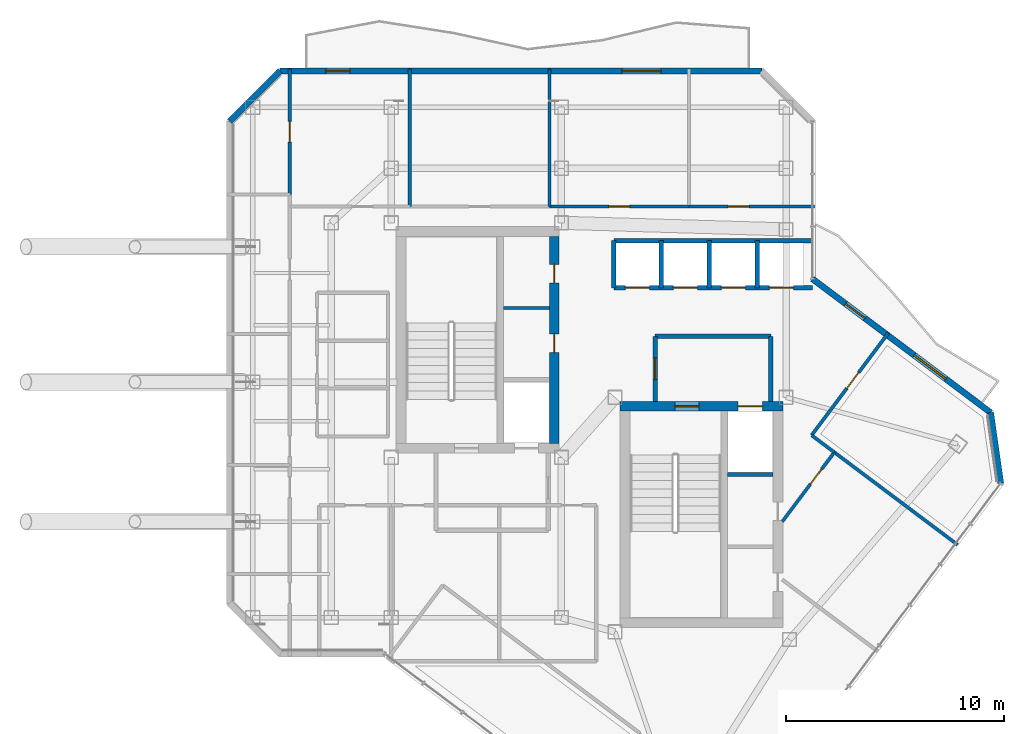
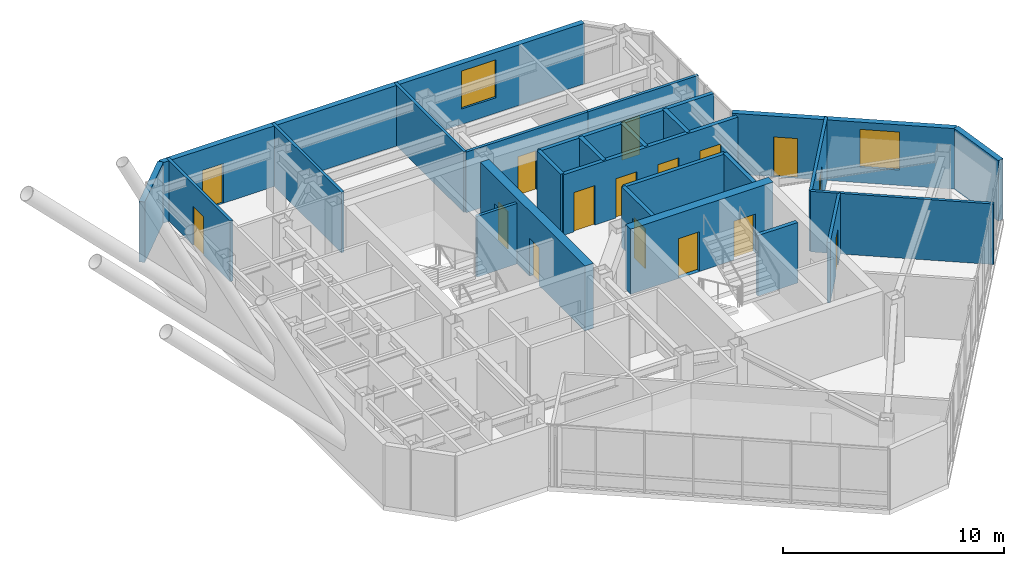
# One storey, part 17 of 21: 26 walls, 16 doors, 2 windows, 18 openings.
"""IFC4 building model written with IfcOpenShell, lengths in metres."""

from ifc_helpers import new_model, si_unit, direction, frame, frame_2d, origin, place, context, subcontext, project, spatial, rectangle, extrude, material, layer, layer_set, type_object, element, fill, save


model = new_model("IFC4")

# Units and contexts
model_context = context("Model", 3, precision=1e-05, world=origin(), true_north=direction((0.0, 1.0)))
body_context = subcontext(model_context, "Body", "Model", "MODEL_VIEW")
ifc_project = project(units=[si_unit("LENGTHUNIT", "METRE"), si_unit("AREAUNIT", "SQUARE_METRE"), si_unit("VOLUMEUNIT", "CUBIC_METRE"), si_unit("PLANEANGLEUNIT", "RADIAN"), si_unit("MASSUNIT", "GRAM", prefix="KILO")], contexts=[model_context])

# Site, building, storey
site_placement = place(None, origin())
site = spatial("IfcSite", under=ifc_project, at=site_placement, CompositionType="ELEMENT")
building_placement = place(site_placement, origin())
building = spatial("IfcBuilding", under=site, at=building_placement, Name="Hatsunagi Terrace Concourse", CompositionType="ELEMENT")
storey_placement = place(building_placement, frame((0.0, 0.0, 246.75)))
storey = spatial("IfcBuildingStorey", under=building, at=storey_placement, Name="L65", CompositionType="ELEMENT", Elevation=246.75)

# Wall, openings, doors
ifc_material_1 = material(Name="Concrete Fc42", Category="concrete")
ifc_layer_1 = layer(ifc_material_1, 0.449951171875)
ifc_layer_set_1 = layer_set([ifc_layer_1], Name="CoreShearWall_Fc42_450")
wall_type_1 = type_object("IfcWallType", Name="CoreShearWall_Fc42_450", PredefinedType="SHEAR", material=ifc_layer_set_1)
wall_1_placement = place(storey_placement, frame((33.02490234375, 33.18994140625, 0.0), z_axis=(0.0, 0.0, 1.0), x_axis=(0.0, 1.0, 0.0)))
wall_1 = element("IfcWall", 1, at=wall_1_placement, inside=storey, type_object=wall_type_1, Name="Core A Shear Wall E L65", PredefinedType="SHEAR", context=body_context, shape_type="SweptSolid", body=[
    extrude(rectangle(XDim=9.47998046875, YDim=0.449951171875, at=frame_2d((4.739990234375, 0.0))), origin(), (0.0, 0.0, 1.0), 3.60009765625),
])
opening_1_placement = place(wall_1_placement, frame((4.159912109375, 0.0, 0.0)))
opening_1 = element("IfcOpeningElement", 2, at=opening_1_placement, cuts=wall_1, Name="Opening DR-085", PredefinedType="OPENING", context=body_context, shape_type="SweptSolid", body=[
    extrude(rectangle(XDim=0.85009765625, YDim=2.080078125, at=frame_2d((0.425048828125, 1.0400390625))), frame((0.0, 0.23486328125, 0.0), z_axis=(0.0, -1.0, 0.0), x_axis=(1.0, 0.0, 0.0)), (0.0, 0.0, 1.0), 0.469970703125),
])
opening_2_placement = place(wall_1_placement, frame((7.360107421875, 0.0, 0.0)))
opening_2 = element("IfcOpeningElement", 3, at=opening_2_placement, cuts=wall_1, Name="Opening DR-085", PredefinedType="OPENING", context=body_context, shape_type="SweptSolid", body=[
    extrude(rectangle(XDim=0.85009765625, YDim=2.080078125, at=frame_2d((0.425048828125, 1.0400390625))), frame((0.0, 0.23486328125, 0.0), z_axis=(0.0, -1.0, 0.0), x_axis=(1.0, 0.0, 0.0)), (0.0, 0.0, 1.0), 0.469970703125),
])
ifc_material_2 = material(Name="Painted steel", Category="steel")
door_type_1 = type_object("IfcDoorType", Name="RiserAccessDoor_EI60_850", OperationType="NOTDEFINED", PredefinedType="DOOR", material=ifc_material_2)
door_1_placement = place(opening_1_placement, origin())
door_1 = element("IfcDoor", 4, at=door_1_placement, inside=storey, type_object=door_type_1, Name="Core A Riser Door L65-1", OperationType="SINGLE_SWING_LEFT", OverallHeight=2.080078125, OverallWidth=0.85009765625, PredefinedType="DOOR", context=body_context, shape_type="SweptSolid", body=[
    extrude(rectangle(XDim=0.85009765625, YDim=2.080078125, at=frame_2d((0.425048828125, 1.0400390625))), frame((0.0, 0.02490234375, 0.0), z_axis=(0.0, -1.0, 0.0), x_axis=(1.0, 0.0, 0.0)), (0.0, 0.0, 1.0), 0.050048828125),
])
fill(opening_1, door_1)
door_2_placement = place(opening_2_placement, origin())
door_2 = element("IfcDoor", 5, at=door_2_placement, inside=storey, type_object=door_type_1, Name="Core A Riser Door L65-2", OperationType="SINGLE_SWING_LEFT", OverallHeight=2.080078125, OverallWidth=0.85009765625, PredefinedType="DOOR", context=body_context, shape_type="SweptSolid", body=[
    extrude(rectangle(XDim=0.85009765625, YDim=2.080078125, at=frame_2d((0.425048828125, 1.0400390625))), frame((0.0, 0.02490234375, 0.0), z_axis=(0.0, -1.0, 0.0), x_axis=(1.0, 0.0, 0.0)), (0.0, 0.0, 1.0), 0.050048828125),
])
fill(opening_2, door_2)

wall_2_placement = place(storey_placement, frame((36.0400390625, 34.89501953125, 0.0), z_axis=(0.0, 0.0, 1.0), x_axis=(1.0, 0.0, 0.0)))
wall_2 = element("IfcWall", 6, at=wall_2_placement, inside=storey, type_object=wall_type_1, Name="Core B Shear Wall N L65", PredefinedType="SHEAR", context=body_context, shape_type="SweptSolid", body=[
    extrude(rectangle(XDim=7.4599609375, YDim=0.449951171875, at=frame_2d((3.72998046875, 0.0))), origin(), (0.0, 0.0, 1.0), 3.60009765625),
])
opening_3_placement = place(wall_2_placement, frame((2.510009765625, 0.0, 0.0)))
opening_3 = element("IfcOpeningElement", 7, at=opening_3_placement, cuts=wall_2, Name="Opening DR-110S", PredefinedType="OPENING", context=body_context, shape_type="SweptSolid", body=[
    extrude(rectangle(XDim=1.10009765625, YDim=2.199951171875, at=frame_2d((0.550048828125, 1.10009765625))), frame((0.0, 0.23486328125, 0.0), z_axis=(0.0, -1.0, 0.0), x_axis=(1.0, 0.0, 0.0)), (0.0, 0.0, 1.0), 0.469970703125),
])
opening_4_placement = place(wall_2_placement, frame((5.409912109375, 0.0, 0.0)))
opening_4 = element("IfcOpeningElement", 8, at=opening_4_placement, cuts=wall_2, Name="Opening LD-02", PredefinedType="OPENING", context=body_context, shape_type="SweptSolid", body=[
    extrude(rectangle(XDim=1.1201171875, YDim=2.14990234375, at=frame_2d((0.56005859375, 1.074951171875))), frame((0.0, 0.23486328125, 0.0), z_axis=(0.0, -1.0, 0.0), x_axis=(1.0, 0.0, 0.0)), (0.0, 0.0, 1.0), 0.469970703125),
])
ifc_material_3 = material(Name="Stainless steel", Category="steel")
door_type_2 = type_object("IfcDoorType", Name="LiftLandingDoor_LD02", OperationType="SLIDING_TO_RIGHT", PredefinedType="USERDEFINED", material=ifc_material_3)
door_3_placement = place(opening_4_placement, origin())
door_3 = element("IfcDoor", 9, at=door_3_placement, inside=storey, type_object=door_type_2, Name="Lift landing door FF-02 L65", ObjectType="SLIDING_LANDING_DOOR", OperationType="SLIDING_TO_RIGHT", OverallHeight=2.14990234375, OverallWidth=1.1201171875, PredefinedType="USERDEFINED", context=body_context, shape_type="SweptSolid", body=[
    extrude(rectangle(XDim=1.1201171875, YDim=2.14990234375, at=frame_2d((0.56005859375, 1.074951171875))), frame((0.0, 0.02490234375, 0.0), z_axis=(0.0, -1.0, 0.0), x_axis=(1.0, 0.0, 0.0)), (0.0, 0.0, 1.0), 0.050048828125),
])
fill(opening_4, door_3)
ifc_material_4 = material(Name="Painted steel", Category="steel")
door_type_3 = type_object("IfcDoorType", Name="StairFireDoor_EI60_1100", OperationType="NOTDEFINED", PredefinedType="DOOR", material=ifc_material_4)
door_4_placement = place(opening_3_placement, origin())
door_4 = element("IfcDoor", 10, at=door_4_placement, inside=storey, type_object=door_type_3, Name="Stair ST-B Exit Door L65", OperationType="SINGLE_SWING_RIGHT", OverallHeight=2.199951171875, OverallWidth=1.10009765625, PredefinedType="DOOR", context=body_context, shape_type="SweptSolid", body=[
    extrude(rectangle(XDim=1.10009765625, YDim=2.199951171875, at=frame_2d((0.550048828125, 1.10009765625))), frame((0.0, 0.02490234375, 0.0), z_axis=(0.0, -1.0, 0.0), x_axis=(1.0, 0.0, 0.0)), (0.0, 0.0, 1.0), 0.050048828125),
])
fill(opening_3, door_4)

# Wall
ifc_material_5 = material(Name="Acoustic mineral board", Category="gypsum")
ifc_layer_2 = layer(ifc_material_5, 0.14990234375)
ifc_layer_set_2 = layer_set([ifc_layer_2], Name="PartitionWall_EI60_150")
wall_type_2 = type_object("IfcWallType", Name="PartitionWall_EI60_150", PredefinedType="PARTITIONING", material=ifc_layer_set_2)
wall_3_placement = place(storey_placement, frame((30.699951171875, 39.39990234375, 0.0), z_axis=(0.0, 0.0, 1.0), x_axis=(1.0, 0.0, 0.0)))
element("IfcWall", 11, at=wall_3_placement, inside=storey, type_object=wall_type_2, Name="Interior Partition IW-L65-002", PredefinedType="PARTITIONING", context=body_context, shape_type="SweptSolid", body=[
    extrude(rectangle(XDim=2.10009765625, YDim=0.14990234375, at=frame_2d((1.050048828125, 0.0))), origin(), (0.0, 0.0, 1.0), 3.35009765625),
])

# Wall, opening, door
wall_4_placement = place(storey_placement, frame((20.89990234375, 44.60009765625, 0.0), z_axis=(0.0, 0.0, 1.0), x_axis=(0.0, 1.0, 0.0)))
wall_4 = element("IfcWall", 12, at=wall_4_placement, inside=storey, type_object=wall_type_2, Name="Interior Partition IW-L65-040", PredefinedType="PARTITIONING", context=body_context, shape_type="SweptSolid", body=[
    extrude(rectangle(XDim=5.760009765625, YDim=0.14990234375, at=frame_2d((2.8798828125, 0.0))), origin(), (0.0, 0.0, 1.0), 3.35009765625),
])
opening_5_placement = place(wall_4_placement, frame((2.405029296875, 0.0, 0.0)))
opening_5 = element("IfcOpeningElement", 13, at=opening_5_placement, cuts=wall_4, Name="Opening DR-095", PredefinedType="OPENING", context=body_context, shape_type="SweptSolid", body=[
    extrude(rectangle(XDim=0.949951171875, YDim=2.14990234375, at=frame_2d((0.47509765625, 1.074951171875))), frame((0.0, 0.0849609375, 0.0), z_axis=(0.0, -1.0, 0.0), x_axis=(1.0, 0.0, 0.0)), (0.0, 0.0, 1.0), 0.169921875),
])
ifc_material_6 = material(Name="Hardwood timber", Category="wood")
door_type_4 = type_object("IfcDoorType", Name="InteriorSuiteDoor_EI30_950", OperationType="NOTDEFINED", PredefinedType="DOOR", material=ifc_material_6)
door_5_placement = place(opening_5_placement, origin())
door_5 = element("IfcDoor", 14, at=door_5_placement, inside=storey, type_object=door_type_4, Name="Meeting Room L65-OW5 Door", OperationType="SINGLE_SWING_RIGHT", OverallHeight=2.14990234375, OverallWidth=0.949951171875, PredefinedType="DOOR", context=body_context, shape_type="SweptSolid", body=[
    extrude(rectangle(XDim=0.949951171875, YDim=2.14990234375, at=frame_2d((0.47509765625, 1.074951171875))), frame((0.0, 0.02490234375, 0.0), z_axis=(0.0, -1.0, 0.0), x_axis=(1.0, 0.0, 0.0)), (0.0, 0.0, 1.0), 0.050048828125),
])
fill(opening_5, door_5)

# Walls
for number, where, z_axis, x_axis, name in (
    (15, (26.39990234375, 44.050048828125, 0.0), (0.0, 0.0, 1.0), (0.0, 1.0, 0.0), "Interior Partition IW-L65-042"),
    (16, (32.800048828125, 44.050048828125, 0.0), (0.0, 0.0, 1.0), (0.0, 1.0, 0.0), "Interior Partition IW-L65-044"),
):
    element("IfcWall", number, at=place(storey_placement, frame(where, z_axis=z_axis, x_axis=x_axis)), inside=storey, type_object=wall_type_2, Name=name, PredefinedType="PARTITIONING", context=body_context, shape_type="SweptSolid", body=[
        extrude(rectangle(XDim=6.31005859375, YDim=0.14990234375, at=frame_2d((3.155029296875, 0.0))), origin(), (0.0, 0.0, 1.0), 3.35009765625),
    ])

# Wall, opening, door
wall_5_placement = place(storey_placement, frame((32.800048828125, 44.050048828125, 0.0), z_axis=(0.0, 0.0, 1.0), x_axis=(1.0, 0.0, 0.0)))
wall_5 = element("IfcWall", 17, at=wall_5_placement, inside=storey, type_object=wall_type_2, Name="Interior Partition IW-L65-045", PredefinedType="PARTITIONING", context=body_context, shape_type="SweptSolid", body=[
    extrude(rectangle(XDim=6.39990234375, YDim=0.14990234375, at=frame_2d((3.199951171875, 0.0))), origin(), (0.0, 0.0, 1.0), 3.35009765625),
])
opening_6_placement = place(wall_5_placement, frame((2.72509765625, 0.0, 0.0)))
opening_6 = element("IfcOpeningElement", 18, at=opening_6_placement, cuts=wall_5, Name="Opening DR-095", PredefinedType="OPENING", context=body_context, shape_type="SweptSolid", body=[
    extrude(rectangle(XDim=0.949951171875, YDim=2.14990234375, at=frame_2d((0.47509765625, 1.074951171875))), frame((0.0, 0.0849609375, 0.0), z_axis=(0.0, -1.0, 0.0), x_axis=(1.0, 0.0, 0.0)), (0.0, 0.0, 1.0), 0.169921875),
])
door_6_placement = place(opening_6_placement, origin())
door_6 = element("IfcDoor", 19, at=door_6_placement, inside=storey, type_object=door_type_4, Name="Meeting Room L65-ON3 Door", OperationType="SINGLE_SWING_LEFT", OverallHeight=2.14990234375, OverallWidth=0.949951171875, PredefinedType="DOOR", context=body_context, shape_type="SweptSolid", body=[
    extrude(rectangle(XDim=0.949951171875, YDim=2.14990234375, at=frame_2d((0.47509765625, 1.074951171875))), frame((0.0, 0.02490234375, 0.0), z_axis=(0.0, -1.0, 0.0), x_axis=(1.0, 0.0, 0.0)), (0.0, 0.0, 1.0), 0.050048828125),
])
fill(opening_6, door_6)

wall_6_placement = place(storey_placement, frame((39.199951171875, 44.050048828125, 0.0), z_axis=(0.0, 0.0, 1.0), x_axis=(1.0, 0.0, 0.0)))
wall_6 = element("IfcWall", 20, at=wall_6_placement, inside=storey, type_object=wall_type_2, Name="Interior Partition IW-L65-047", PredefinedType="PARTITIONING", context=body_context, shape_type="SweptSolid", body=[
    extrude(rectangle(XDim=5.760009765625, YDim=0.14990234375, at=frame_2d((2.8798828125, 0.0))), origin(), (0.0, 0.0, 1.0), 3.35009765625),
])
opening_7_placement = place(wall_6_placement, frame((1.797119140625, 0.0, 0.0)))
opening_7 = element("IfcOpeningElement", 21, at=opening_7_placement, cuts=wall_6, Name="Opening DR-095", PredefinedType="OPENING", context=body_context, shape_type="SweptSolid", body=[
    extrude(rectangle(XDim=0.949951171875, YDim=2.14990234375, at=frame_2d((0.47509765625, 1.074951171875))), frame((0.0, 0.0849609375, 0.0), z_axis=(0.0, -1.0, 0.0), x_axis=(1.0, 0.0, 0.0)), (0.0, 0.0, 1.0), 0.169921875),
])
door_7_placement = place(opening_7_placement, origin())
door_7 = element("IfcDoor", 22, at=door_7_placement, inside=storey, type_object=door_type_4, Name="Client Consultation Room L65-ON4 Door", OperationType="SINGLE_SWING_LEFT", OverallHeight=2.14990234375, OverallWidth=0.949951171875, PredefinedType="DOOR", context=body_context, shape_type="SweptSolid", body=[
    extrude(rectangle(XDim=0.949951171875, YDim=2.14990234375, at=frame_2d((0.47509765625, 1.074951171875))), frame((0.0, 0.02490234375, 0.0), z_axis=(0.0, -1.0, 0.0), x_axis=(1.0, 0.0, 0.0)), (0.0, 0.0, 1.0), 0.050048828125),
])
fill(opening_7, door_7)

# Wall
wall_7_placement = place(storey_placement, frame((45.860107421875, 32.780029296875, 0.0), z_axis=(0.0, 0.0, 1.0), x_axis=(0.799991700537, -0.600011065791, 0.0)))
element("IfcWall", 23, at=wall_7_placement, inside=storey, type_object=wall_type_2, Name="Interior Partition IW-L65-049", PredefinedType="PARTITIONING", context=body_context, shape_type="SweptSolid", body=[
    extrude(rectangle(XDim=7.06005859375, YDim=0.14990234375, at=frame_2d((3.530029296875, 0.0))), origin(), (0.0, 0.0, 1.0), 3.35009765625),
])

# Wall, opening, door
wall_8_placement = place(storey_placement, frame((43.47998046875, 29.60693359375, 0.0), z_axis=(0.0, 0.0, 1.0), x_axis=(0.600049238723, 0.79996306859, 0.0)))
wall_8 = element("IfcWall", 24, at=wall_8_placement, inside=storey, type_object=wall_type_2, Name="Interior Partition IW-L65-050", PredefinedType="PARTITIONING", context=body_context, shape_type="SweptSolid", body=[
    extrude(rectangle(XDim=3.966552734375, YDim=0.14990234375, at=frame_2d((1.9833984375, 0.0))), origin(), (0.0, 0.0, 1.0), 3.35009765625),
])
opening_8_placement = place(wall_8_placement, frame((2.14697265625, 0.0, 0.0)))
opening_8 = element("IfcOpeningElement", 25, at=opening_8_placement, cuts=wall_8, Name="Opening DR-085", PredefinedType="OPENING", context=body_context, shape_type="SweptSolid", body=[
    extrude(rectangle(XDim=0.85009765625, YDim=2.080078125, at=frame_2d((0.425048828125, 1.0400390625))), frame((0.0, 0.0849609375, 0.0), z_axis=(0.0, -1.0, 0.0), x_axis=(1.0, 0.0, 0.0)), (0.0, 0.0, 1.0), 0.169921875),
])
door_8_placement = place(opening_8_placement, origin())
door_8 = element("IfcDoor", 26, at=door_8_placement, inside=storey, type_object=door_type_1, Name="Research Focus Suite L65-OSE1 Door", OperationType="SINGLE_SWING_RIGHT", OverallHeight=2.080078125, OverallWidth=0.85009765625, PredefinedType="DOOR", context=body_context, shape_type="SweptSolid", body=[
    extrude(rectangle(XDim=0.85009765625, YDim=2.080078125, at=frame_2d((0.425048828125, 1.0400390625))), frame((0.0, 0.02490234375, 0.0), z_axis=(0.0, -1.0, 0.0), x_axis=(1.0, 0.0, 0.0)), (0.0, 0.0, 1.0), 0.050048828125),
])
fill(opening_8, door_8)

# Wall
wall_9_placement = place(storey_placement, frame((44.820068359375, 33.56005859375, 0.0), z_axis=(0.0, 0.0, 1.0), x_axis=(0.8, -0.6, 0.0)))
element("IfcWall", 27, at=wall_9_placement, inside=storey, type_object=wall_type_2, Name="Interior Partition IW-L65-051", PredefinedType="PARTITIONING", context=body_context, shape_type="SweptSolid", body=[
    extrude(rectangle(XDim=1.300048828125, YDim=0.14990234375, at=frame_2d((0.64990234375, 0.0))), origin(), (0.0, 0.0, 1.0), 3.35009765625),
])

# Wall, opening, door
wall_10_placement = place(storey_placement, frame((44.820068359375, 33.56005859375, 0.0), z_axis=(0.0, 0.0, 1.0), x_axis=(0.599986667805, 0.800009998972, 0.0)))
wall_10 = element("IfcWall", 28, at=wall_10_placement, inside=storey, type_object=wall_type_2, Name="Interior Partition IW-L65-052", PredefinedType="PARTITIONING", context=body_context, shape_type="SweptSolid", body=[
    extrude(rectangle(XDim=5.85986328125, YDim=0.14990234375, at=frame_2d((2.929931640625, 0.0))), origin(), (0.0, 0.0, 1.0), 3.35009765625),
])
opening_9_placement = place(wall_10_placement, frame((2.68994140625, 0.0, 0.0)))
opening_9 = element("IfcOpeningElement", 29, at=opening_9_placement, cuts=wall_10, Name="Opening DR-090", PredefinedType="OPENING", context=body_context, shape_type="SweptSolid", body=[
    extrude(rectangle(XDim=0.89990234375, YDim=2.14990234375, at=frame_2d((0.449951171875, 1.074951171875))), frame((0.0, 0.0849609375, 0.0), z_axis=(0.0, -1.0, 0.0), x_axis=(1.0, 0.0, 0.0)), (0.0, 0.0, 1.0), 0.169921875),
])
ifc_material_7 = material(Name="Hardwood timber", Category="wood")
door_type_5 = type_object("IfcDoorType", Name="CrownPavilionDoor_EI30_900", OperationType="NOTDEFINED", PredefinedType="DOOR", material=ifc_material_7)
door_9_placement = place(opening_9_placement, origin())
door_9 = element("IfcDoor", 30, at=door_9_placement, inside=storey, type_object=door_type_5, Name="Design Studio L65-OSE2 Door", OperationType="SINGLE_SWING_RIGHT", OverallHeight=2.14990234375, OverallWidth=0.89990234375, PredefinedType="DOOR", context=body_context, shape_type="SweptSolid", body=[
    extrude(rectangle(XDim=0.89990234375, YDim=2.14990234375, at=frame_2d((0.449951171875, 1.074951171875))), frame((0.0, 0.02490234375, 0.0), z_axis=(0.0, -1.0, 0.0), x_axis=(1.0, 0.0, 0.0)), (0.0, 0.0, 1.0), 0.050048828125),
])
fill(opening_9, door_9)

# Walls
ifc_material_8 = material(Name="Acoustic mineral board", Category="gypsum")
ifc_layer_3 = layer(ifc_material_8, 0.199951171875)
ifc_layer_set_3 = layer_set([ifc_layer_3], Name="ShaftWall_EI120_200")
wall_type_3 = type_object("IfcWallType", Name="ShaftWall_EI120_200", PredefinedType="STANDARD", material=ifc_layer_set_3)
wall_11_placement = place(storey_placement, frame((40.969970703125, 31.760009765625, 0.0), z_axis=(0.0, 0.0, 1.0), x_axis=(1.0, 0.0, 0.0)))
element("IfcWall", 31, at=wall_11_placement, inside=storey, type_object=wall_type_3, Name="Interior Partition IW-L65-003", PredefinedType="STANDARD", context=body_context, shape_type="SweptSolid", body=[
    extrude(rectangle(XDim=2.080078125, YDim=0.199951171875, at=frame_2d((1.0400390625, 0.0))), origin(), (0.0, 0.0, 1.0), 3.35009765625),
])
wall_12_placement = place(storey_placement, frame((37.64990234375, 38.10009765625, 0.0), z_axis=(0.0, 0.0, 1.0), x_axis=(1.0, 0.0, 0.0)))
element("IfcWall", 32, at=wall_12_placement, inside=storey, type_object=wall_type_3, Name="Interior Partition IW-L65-008", PredefinedType="STANDARD", context=body_context, shape_type="SweptSolid", body=[
    extrude(rectangle(XDim=5.300048828125, YDim=0.199951171875, at=frame_2d((2.64990234375, 0.0))), origin(), (0.0, 0.0, 1.0), 3.35009765625),
])
wall_13_placement = place(storey_placement, frame((42.949951171875, 35.1201171875, 0.0), z_axis=(0.0, 0.0, 1.0), x_axis=(0.0, 1.0, 0.0)))
element("IfcWall", 33, at=wall_13_placement, inside=storey, type_object=wall_type_3, Name="Interior Partition IW-L65-009", PredefinedType="STANDARD", context=body_context, shape_type="SweptSolid", body=[
    extrude(rectangle(XDim=2.97998046875, YDim=0.199951171875, at=frame_2d((1.489990234375, 0.0))), origin(), (0.0, 0.0, 1.0), 3.35009765625),
])

# Wall, opening, door
wall_14_placement = place(storey_placement, frame((37.64990234375, 35.1201171875, 0.0), z_axis=(0.0, 0.0, 1.0), x_axis=(0.0, 1.0, 0.0)))
wall_14 = element("IfcWall", 34, at=wall_14_placement, inside=storey, type_object=wall_type_3, Name="Interior Partition IW-L65-010", PredefinedType="STANDARD", context=body_context, shape_type="SweptSolid", body=[
    extrude(rectangle(XDim=2.97998046875, YDim=0.199951171875, at=frame_2d((1.489990234375, 0.0))), origin(), (0.0, 0.0, 1.0), 3.35009765625),
])
opening_10_placement = place(wall_14_placement, frame((0.989990234375, 0.0, 0.0)))
opening_10 = element("IfcOpeningElement", 35, at=opening_10_placement, cuts=wall_14, Name="Opening DR-100F", PredefinedType="OPENING", context=body_context, shape_type="SweptSolid", body=[
    extrude(rectangle(XDim=1.0, YDim=2.199951171875, at=frame_2d((0.5, 1.10009765625))), frame((0.0, 0.10986328125, 0.0), z_axis=(0.0, -1.0, 0.0), x_axis=(1.0, 0.0, 0.0)), (0.0, 0.0, 1.0), 0.219970703125),
])
ifc_material_9 = material(Name="Painted steel", Category="steel")
door_type_6 = type_object("IfcDoorType", Name="FireDoor_EI60_1000", OperationType="NOTDEFINED", PredefinedType="DOOR", material=ifc_material_9)
door_10_placement = place(opening_10_placement, origin())
door_10 = element("IfcDoor", 36, at=door_10_placement, inside=storey, type_object=door_type_6, Name="Firefighting Lobby B Door L65", OperationType="SINGLE_SWING_RIGHT", OverallHeight=2.199951171875, OverallWidth=1.0, PredefinedType="DOOR", context=body_context, shape_type="SweptSolid", body=[
    extrude(rectangle(XDim=1.0, YDim=2.199951171875, at=frame_2d((0.5, 1.10009765625))), frame((0.0, 0.02490234375, 0.0), z_axis=(0.0, -1.0, 0.0), x_axis=(1.0, 0.0, 0.0)), (0.0, 0.0, 1.0), 0.050048828125),
])
fill(opening_10, door_10)

# Walls
wall_15_placement = place(storey_placement, frame((35.75, 42.47998046875, 0.0), z_axis=(0.0, 0.0, 1.0), x_axis=(1.0, 0.0, 0.0)))
element("IfcWall", 37, at=wall_15_placement, inside=storey, type_object=wall_type_3, Name="Interior Partition IW-L65-011", PredefinedType="STANDARD", context=body_context, shape_type="SweptSolid", body=[
    extrude(rectangle(XDim=9.110107421875, YDim=0.199951171875, at=frame_2d((4.55517578125, 0.0))), origin(), (0.0, 0.0, 1.0), 3.35009765625),
])
for number, where, z_axis, x_axis, name in (
    (38, (35.75, 40.320068359375, 0.0), (0.0, 0.0, 1.0), (0.0, 1.0, 0.0), "Interior Partition IW-L65-012"),
    (39, (37.919921875, 40.320068359375, 0.0), (0.0, 0.0, 1.0), (0.0, 1.0, 0.0), "Interior Partition IW-L65-013"),
    (40, (40.1201171875, 40.320068359375, 0.0), (0.0, 0.0, 1.0), (0.0, 1.0, 0.0), "Interior Partition IW-L65-014"),
    (41, (42.320068359375, 40.320068359375, 0.0), (0.0, 0.0, 1.0), (0.0, 1.0, 0.0), "Interior Partition IW-L65-015"),
):
    element("IfcWall", number, at=place(storey_placement, frame(where, z_axis=z_axis, x_axis=x_axis)), inside=storey, type_object=wall_type_3, Name=name, PredefinedType="STANDARD", context=body_context, shape_type="SweptSolid", body=[
        extrude(rectangle(XDim=2.159912109375, YDim=0.199951171875, at=frame_2d((1.080078125, 0.0))), origin(), (0.0, 0.0, 1.0), 3.35009765625),
    ])

# Wall, openings, doors
wall_16_placement = place(storey_placement, frame((35.75, 40.320068359375, 0.0), z_axis=(0.0, 0.0, 1.0), x_axis=(1.0, 0.0, 0.0)))
wall_16 = element("IfcWall", 42, at=wall_16_placement, inside=storey, type_object=wall_type_3, Name="Interior Partition IW-L65-016", PredefinedType="STANDARD", context=body_context, shape_type="SweptSolid", body=[
    extrude(rectangle(XDim=9.110107421875, YDim=0.199951171875, at=frame_2d((4.55517578125, 0.0))), origin(), (0.0, 0.0, 1.0), 3.35009765625),
])
opening_11_placement = place(wall_16_placement, frame((0.530029296875, 0.0, 0.0)))
opening_11 = element("IfcOpeningElement", 43, at=opening_11_placement, cuts=wall_16, Name="Opening LD-04", PredefinedType="OPENING", context=body_context, shape_type="SweptSolid", body=[
    extrude(rectangle(XDim=1.10009765625, YDim=2.179931640625, at=frame_2d((0.550048828125, 1.08984375))), frame((0.0, 0.10986328125, 0.0), z_axis=(0.0, -1.0, 0.0), x_axis=(1.0, 0.0, 0.0)), (0.0, 0.0, 1.0), 0.219970703125),
])
opening_12_placement = place(wall_16_placement, frame((2.72998046875, 0.0, 0.0)))
opening_12 = element("IfcOpeningElement", 44, at=opening_12_placement, cuts=wall_16, Name="Opening LD-04", PredefinedType="OPENING", context=body_context, shape_type="SweptSolid", body=[
    extrude(rectangle(XDim=1.10009765625, YDim=2.179931640625, at=frame_2d((0.550048828125, 1.08984375))), frame((0.0, 0.10986328125, 0.0), z_axis=(0.0, -1.0, 0.0), x_axis=(1.0, 0.0, 0.0)), (0.0, 0.0, 1.0), 0.219970703125),
])
opening_13_placement = place(wall_16_placement, frame((4.929931640625, 0.0, 0.0)))
opening_13 = element("IfcOpeningElement", 45, at=opening_13_placement, cuts=wall_16, Name="Opening LD-04", PredefinedType="OPENING", context=body_context, shape_type="SweptSolid", body=[
    extrude(rectangle(XDim=1.10009765625, YDim=2.179931640625, at=frame_2d((0.550048828125, 1.08984375))), frame((0.0, 0.10986328125, 0.0), z_axis=(0.0, -1.0, 0.0), x_axis=(1.0, 0.0, 0.0)), (0.0, 0.0, 1.0), 0.219970703125),
])
opening_14_placement = place(wall_16_placement, frame((7.1298828125, 0.0, 0.0)))
opening_14 = element("IfcOpeningElement", 46, at=opening_14_placement, cuts=wall_16, Name="Opening LD-04", PredefinedType="OPENING", context=body_context, shape_type="SweptSolid", body=[
    extrude(rectangle(XDim=1.10009765625, YDim=2.179931640625, at=frame_2d((0.550048828125, 1.08984375))), frame((0.0, 0.10986328125, 0.0), z_axis=(0.0, -1.0, 0.0), x_axis=(1.0, 0.0, 0.0)), (0.0, 0.0, 1.0), 0.219970703125),
])
ifc_material_10 = material(Name="Stainless steel", Category="steel")
door_type_7 = type_object("IfcDoorType", Name="LiftLandingDoor_LD04", OperationType="SLIDING_TO_RIGHT", PredefinedType="USERDEFINED", material=ifc_material_10)
door_11_placement = place(opening_11_placement, origin())
door_11 = element("IfcDoor", 47, at=door_11_placement, inside=storey, type_object=door_type_7, Name="Lift landing door PL-05 L65", ObjectType="SLIDING_LANDING_DOOR", OperationType="SLIDING_TO_RIGHT", OverallHeight=2.179931640625, OverallWidth=1.10009765625, PredefinedType="USERDEFINED", context=body_context, shape_type="SweptSolid", body=[
    extrude(rectangle(XDim=1.10009765625, YDim=2.179931640625, at=frame_2d((0.550048828125, 1.08984375))), frame((0.0, 0.02490234375, 0.0), z_axis=(0.0, -1.0, 0.0), x_axis=(1.0, 0.0, 0.0)), (0.0, 0.0, 1.0), 0.050048828125),
])
fill(opening_11, door_11)
door_12_placement = place(opening_12_placement, origin())
door_12 = element("IfcDoor", 48, at=door_12_placement, inside=storey, type_object=door_type_7, Name="Lift landing door PL-06 L65", ObjectType="SLIDING_LANDING_DOOR", OperationType="SLIDING_TO_RIGHT", OverallHeight=2.179931640625, OverallWidth=1.10009765625, PredefinedType="USERDEFINED", context=body_context, shape_type="SweptSolid", body=[
    extrude(rectangle(XDim=1.10009765625, YDim=2.179931640625, at=frame_2d((0.550048828125, 1.08984375))), frame((0.0, 0.02490234375, 0.0), z_axis=(0.0, -1.0, 0.0), x_axis=(1.0, 0.0, 0.0)), (0.0, 0.0, 1.0), 0.050048828125),
])
fill(opening_12, door_12)
door_13_placement = place(opening_13_placement, origin())
door_13 = element("IfcDoor", 49, at=door_13_placement, inside=storey, type_object=door_type_7, Name="Lift landing door PL-07 L65", ObjectType="SLIDING_LANDING_DOOR", OperationType="SLIDING_TO_RIGHT", OverallHeight=2.179931640625, OverallWidth=1.10009765625, PredefinedType="USERDEFINED", context=body_context, shape_type="SweptSolid", body=[
    extrude(rectangle(XDim=1.10009765625, YDim=2.179931640625, at=frame_2d((0.550048828125, 1.08984375))), frame((0.0, 0.02490234375, 0.0), z_axis=(0.0, -1.0, 0.0), x_axis=(1.0, 0.0, 0.0)), (0.0, 0.0, 1.0), 0.050048828125),
])
fill(opening_13, door_13)
door_14_placement = place(opening_14_placement, origin())
door_14 = element("IfcDoor", 50, at=door_14_placement, inside=storey, type_object=door_type_7, Name="Lift landing door PL-08 L65", ObjectType="SLIDING_LANDING_DOOR", OperationType="SLIDING_TO_RIGHT", OverallHeight=2.179931640625, OverallWidth=1.10009765625, PredefinedType="USERDEFINED", context=body_context, shape_type="SweptSolid", body=[
    extrude(rectangle(XDim=1.10009765625, YDim=2.179931640625, at=frame_2d((0.550048828125, 1.08984375))), frame((0.0, 0.02490234375, 0.0), z_axis=(0.0, -1.0, 0.0), x_axis=(1.0, 0.0, 0.0)), (0.0, 0.0, 1.0), 0.050048828125),
])
fill(opening_14, door_14)

# Wall, openings, door, window
ifc_material_11 = material(Name="Autoclaved Lightweight Concrete and Terracotta Cladding", Category="masonry")
ifc_layer_4 = layer(ifc_material_11, 0.280029296875)
ifc_layer_set_4 = layer_set([ifc_layer_4], Name="TerracottaSpandrelWall_280")
wall_type_4 = type_object("IfcWallType", Name="TerracottaSpandrelWall_280", PredefinedType="STANDARD", material=ifc_layer_set_4)
wall_17_placement = place(storey_placement, frame((44.860107421875, 40.72998046875, 0.0), z_axis=(0.0, 0.0, 1.0), x_axis=(0.800022950109, -0.599969398635, 0.0)))
wall_17 = element("IfcWall", 51, at=wall_17_placement, inside=storey, type_object=wall_type_4, Name="Exterior Spandrel Wall EW-L65-01", PredefinedType="STANDARD", context=body_context, shape_type="SweptSolid", body=[
    extrude(rectangle(XDim=10.212158203125, YDim=0.280029296875, at=frame_2d((5.10595703125, 0.0))), origin(), (0.0, 0.0, 1.0), 3.35009765625),
])
opening_15_placement = place(wall_17_placement, frame((1.90087890625, 0.0, 0.0)))
opening_15 = element("IfcOpeningElement", 52, at=opening_15_placement, cuts=wall_17, Name="Opening BD-01", PredefinedType="OPENING", context=body_context, shape_type="SweptSolid", body=[
    extrude(rectangle(XDim=1.10009765625, YDim=2.199951171875, at=frame_2d((0.550048828125, 1.10009765625))), frame((0.0, 0.14990234375, 0.0), z_axis=(0.0, -1.0, 0.0), x_axis=(1.0, 0.0, 0.0)), (0.0, 0.0, 1.0), 0.300048828125),
])
opening_16_placement = place(wall_17_placement, frame((5.840087890625, 0.0, 0.85009765625)))
opening_16 = element("IfcOpeningElement", 53, at=opening_16_placement, cuts=wall_17, Name="Opening WIN-03", PredefinedType="OPENING", context=body_context, shape_type="SweptSolid", body=[
    extrude(rectangle(XDim=1.800048828125, YDim=2.10009765625, at=frame_2d((0.89990234375, 1.050048828125))), frame((0.0, 0.14990234375, 0.0), z_axis=(0.0, -1.0, 0.0), x_axis=(1.0, 0.0, 0.0)), (0.0, 0.0, 1.0), 0.300048828125),
])
ifc_material_12 = material(Name="Galvanised Steel and Laminated Safety Glass", Category="steel")
door_type_8 = type_object("IfcDoorType", Name="BalconyTerraceAccessDoor_1100x2200", OperationType="SINGLE_SWING_LEFT", PredefinedType="DOOR", material=ifc_material_12)
door_15_placement = place(opening_15_placement, origin())
door_15 = element("IfcDoor", 54, at=door_15_placement, inside=storey, type_object=door_type_8, Name="Engawa Balcony Door L65-BSE", OperationType="SINGLE_SWING_LEFT", OverallHeight=2.199951171875, OverallWidth=1.10009765625, PredefinedType="DOOR", context=body_context, shape_type="SweptSolid", body=[
    extrude(rectangle(XDim=1.10009765625, YDim=2.199951171875, at=frame_2d((0.550048828125, 1.10009765625))), frame((0.0, 0.02490234375, 0.0), z_axis=(0.0, -1.0, 0.0), x_axis=(1.0, 0.0, 0.0)), (0.0, 0.0, 1.0), 0.050048828125),
])
fill(opening_15, door_15)
ifc_material_13 = material(Name="Thermally Broken Aluminium and Low-E Triple Glazing", Category="aluminium")
window_type = type_object("IfcWindowType", Name="OfficeCornerFeatureWindow_1800x2100", PartitioningType="SINGLE_PANEL", PredefinedType="WINDOW", material=ifc_material_13)
window_1_placement = place(opening_16_placement, origin())
window_1 = element("IfcWindow", 55, at=window_1_placement, inside=storey, type_object=window_type, Name="Balcony Daylighting Window L65-01-1", OverallHeight=2.10009765625, OverallWidth=1.800048828125, PartitioningType="SINGLE_PANEL", PredefinedType="WINDOW", context=body_context, shape_type="SweptSolid", body=[
    extrude(rectangle(XDim=1.800048828125, YDim=2.10009765625, at=frame_2d((0.89990234375, 1.050048828125))), frame((0.0, 0.030029296875, 0.0), z_axis=(0.0, -1.0, 0.0), x_axis=(1.0, 0.0, 0.0)), (0.0, 0.0, 1.0), 0.06005859375),
])
fill(opening_16, window_1)

# Walls
wall_18_placement = place(storey_placement, frame((53.030029296875, 34.60302734375, 0.0), z_axis=(0.0, 0.0, 1.0), x_axis=(0.141212810973, -0.989979263428, 0.0)))
element("IfcWall", 56, at=wall_18_placement, inside=storey, type_object=wall_type_4, Name="Exterior Spandrel Wall EW-L65-02", PredefinedType="STANDARD", context=body_context, shape_type="SweptSolid", body=[
    extrude(rectangle(XDim=3.278076171875, YDim=0.280029296875, at=frame_2d((1.63916015625, 0.0))), origin(), (0.0, 0.0, 1.0), 3.35009765625),
])
wall_19_placement = place(storey_placement, frame((18.139892578125, 47.94189453125, 0.0), z_axis=(0.0, 0.0, 1.0), x_axis=(0.707106781187, 0.707106781187, 0.0)))
element("IfcWall", 57, at=wall_19_placement, inside=storey, type_object=wall_type_4, Name="Exterior Spandrel Wall EW-L65-09", PredefinedType="STANDARD", context=body_context, shape_type="SweptSolid", body=[
    extrude(rectangle(XDim=3.2783203125, YDim=0.280029296875, at=frame_2d((1.63916015625, 0.0))), origin(), (0.0, 0.0, 1.0), 3.35009765625),
])

# Wall, openings, door, window
wall_20_placement = place(storey_placement, frame((20.4580078125, 50.260009765625, 0.0), z_axis=(0.0, 0.0, 1.0), x_axis=(1.0, 0.0, 0.0)))
wall_20 = element("IfcWall", 58, at=wall_20_placement, inside=storey, type_object=wall_type_4, Name="Exterior Spandrel Wall EW-L65-10", PredefinedType="STANDARD", context=body_context, shape_type="SweptSolid", body=[
    extrude(rectangle(XDim=22.083984375, YDim=0.280029296875, at=frame_2d((11.0419921875, 0.0))), origin(), (0.0, 0.0, 1.0), 3.35009765625),
])
opening_17_placement = place(wall_20_placement, frame((2.10009765625, 0.0, 0.0)))
opening_17 = element("IfcOpeningElement", 59, at=opening_17_placement, cuts=wall_20, Name="Opening BD-01", PredefinedType="OPENING", context=body_context, shape_type="SweptSolid", body=[
    extrude(rectangle(XDim=1.10009765625, YDim=2.199951171875, at=frame_2d((0.550048828125, 1.10009765625))), frame((0.0, 0.14990234375, 0.0), z_axis=(0.0, -1.0, 0.0), x_axis=(1.0, 0.0, 0.0)), (0.0, 0.0, 1.0), 0.300048828125),
])
opening_18_placement = place(wall_20_placement, frame((15.6630859375, 0.0, 0.85009765625)))
opening_18 = element("IfcOpeningElement", 60, at=opening_18_placement, cuts=wall_20, Name="Opening WIN-03", PredefinedType="OPENING", context=body_context, shape_type="SweptSolid", body=[
    extrude(rectangle(XDim=1.800048828125, YDim=2.10009765625, at=frame_2d((0.89990234375, 1.050048828125))), frame((0.0, 0.14990234375, 0.0), z_axis=(0.0, -1.0, 0.0), x_axis=(1.0, 0.0, 0.0)), (0.0, 0.0, 1.0), 0.300048828125),
])
door_16_placement = place(opening_17_placement, origin())
door_16 = element("IfcDoor", 61, at=door_16_placement, inside=storey, type_object=door_type_8, Name="Engawa Balcony Door L65-BN", OperationType="SINGLE_SWING_RIGHT", OverallHeight=2.199951171875, OverallWidth=1.10009765625, PredefinedType="DOOR", context=body_context, shape_type="SweptSolid", body=[
    extrude(rectangle(XDim=1.10009765625, YDim=2.199951171875, at=frame_2d((0.550048828125, 1.10009765625))), frame((0.0, 0.02490234375, 0.0), z_axis=(0.0, -1.0, 0.0), x_axis=(1.0, 0.0, 0.0)), (0.0, 0.0, 1.0), 0.050048828125),
])
fill(opening_17, door_16)
window_2_placement = place(opening_18_placement, origin())
window_2 = element("IfcWindow", 62, at=window_2_placement, inside=storey, type_object=window_type, Name="Balcony Daylighting Window L65-10-2", OverallHeight=2.10009765625, OverallWidth=1.800048828125, PartitioningType="SINGLE_PANEL", PredefinedType="WINDOW", context=body_context, shape_type="SweptSolid", body=[
    extrude(rectangle(XDim=1.800048828125, YDim=2.10009765625, at=frame_2d((0.89990234375, 1.050048828125))), frame((0.0, 0.030029296875, 0.0), z_axis=(0.0, -1.0, 0.0), x_axis=(1.0, 0.0, 0.0)), (0.0, 0.0, 1.0), 0.06005859375),
])
fill(opening_18, window_2)

save(model, "model.ifc")
